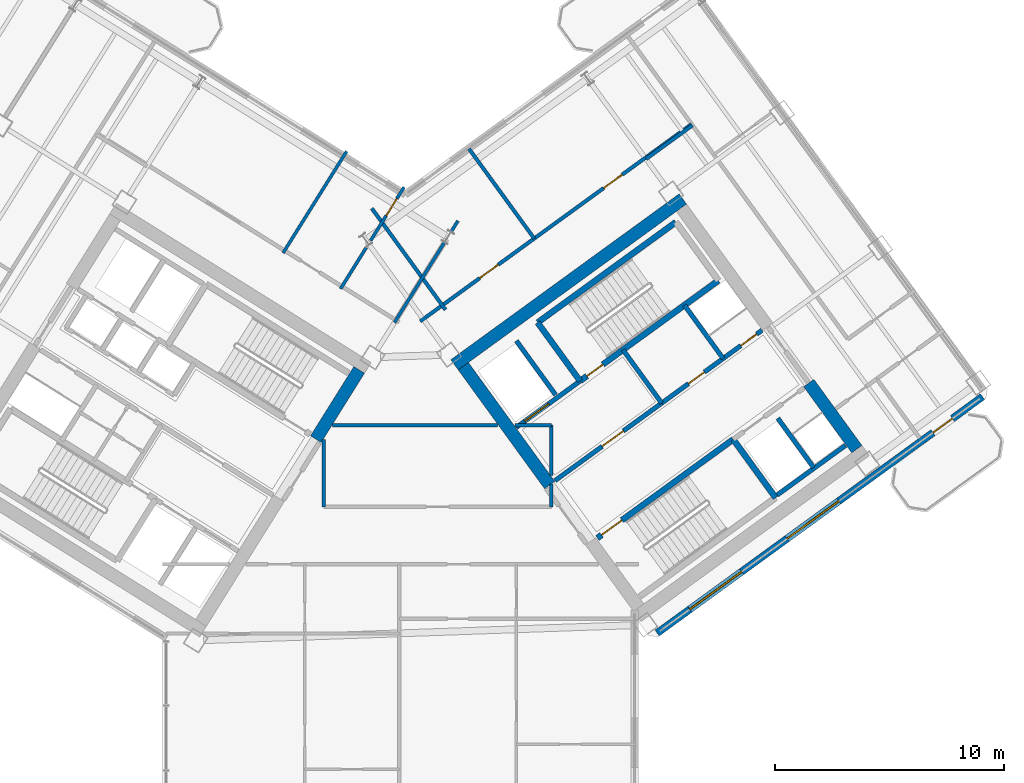
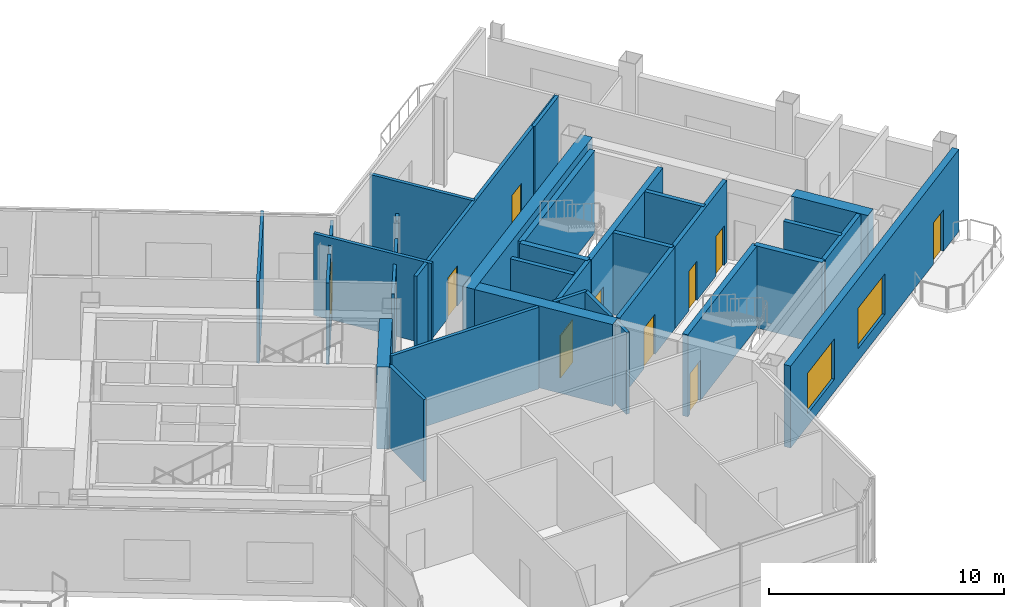
# One storey, part 14 of 21: 32 walls, 10 doors, 2 windows, 12 openings.
"""IFC4 building model written with IfcOpenShell, lengths in metres."""

from ifc_helpers import new_model, si_unit, direction, frame, frame_2d, origin, place, context, subcontext, project, spatial, rectangle, extrude, source, transform, mapped, material, layer, layer_set, type_object, element, fill, save


model = new_model("IFC4")

# Units and contexts
model_context = context("Model", 3, precision=1e-05, world=origin(), true_north=direction((0.0, 1.0)))
body_context = subcontext(model_context, "Body", "Model", "MODEL_VIEW")
ifc_project = project(units=[si_unit("LENGTHUNIT", "METRE"), si_unit("AREAUNIT", "SQUARE_METRE"), si_unit("VOLUMEUNIT", "CUBIC_METRE"), si_unit("PLANEANGLEUNIT", "RADIAN"), si_unit("MASSUNIT", "GRAM", prefix="KILO")], contexts=[model_context])

# Site, building, storey
site_placement = place(None, origin())
site = spatial("IfcSite", under=ifc_project, at=site_placement, CompositionType="ELEMENT")
building_placement = place(site_placement, origin())
building = spatial("IfcBuilding", under=site, at=building_placement, Name="Tlacorven Tower", CompositionType="ELEMENT")
storey_placement = place(building_placement, frame((0.0, 0.0, 199.5)))
storey = spatial("IfcBuildingStorey", under=building, at=storey_placement, Name="L50", CompositionType="ELEMENT", Elevation=199.5)

# Walls
ifc_material_1 = material(Name="Concrete C60/75", Category="concrete")
ifc_layer_1 = layer(ifc_material_1, 0.550048828125)
ifc_layer_set_1 = layer_set([ifc_layer_1], Name="Concrete C60/75")
wall_type_1 = type_object("IfcWallType", Name="WL-COR-550", PredefinedType="SHEAR", material=ifc_layer_set_1)
wall_1_placement = place(storey_placement, frame((40.194091796875, 23.92236328125, 0.0), z_axis=(0.0, 0.0, 1.0), x_axis=(-0.529888438328, -0.848067357541, 0.0)))
element("IfcWall", 1, at=wall_1_placement, inside=storey, type_object=wall_type_1, Name="L50 W core end wall E1.1", PredefinedType="SHEAR", context=body_context, shape_type="SweptSolid", body=[
    extrude(rectangle(XDim=3.574951171875, YDim=0.550048828125, at=frame_2d((1.78759765625, 0.0))), origin(), (0.0, 0.0, 1.0), 4.25),
])
wall_2_placement = place(storey_placement, frame((44.364990234375, 24.142333984375, 0.0), z_axis=(0.0, 0.0, 1.0), x_axis=(0.809024304885, 0.587775190107, 0.0)))
element("IfcWall", 2, at=wall_2_placement, inside=storey, type_object=wall_type_1, Name="L50 E core shear wall S2", PredefinedType="SHEAR", context=body_context, shape_type="SweptSolid", body=[
    extrude(rectangle(XDim=12.340087890625, YDim=0.550048828125, at=frame_2d((6.169921875, 0.0))), origin(), (0.0, 0.0, 1.0), 4.25),
])
wall_3_placement = place(storey_placement, frame((48.525634765625, 18.883544921875, 0.0), z_axis=(0.0, 0.0, 1.0), x_axis=(-0.587764933797, 0.809031756236, 0.0)))
element("IfcWall", 3, at=wall_3_placement, inside=storey, type_object=wall_type_1, Name="L50 E core end wall E1.2", PredefinedType="SHEAR", context=body_context, shape_type="SweptSolid", body=[
    extrude(rectangle(XDim=6.425048828125, YDim=0.550048828125, at=frame_2d((3.21240234375, 0.0))), origin(), (0.0, 0.0, 1.0), 4.25),
])
wall_4_placement = place(storey_placement, frame((61.9580078125, 20.453857421875, 0.0), z_axis=(0.0, 0.0, 1.0), x_axis=(-0.587802113096, 0.809004744015, 0.0)))
element("IfcWall", 4, at=wall_4_placement, inside=storey, type_object=wall_type_1, Name="L50 E core end wall E2.1", PredefinedType="SHEAR", context=body_context, shape_type="SweptSolid", body=[
    extrude(rectangle(XDim=3.574951171875, YDim=0.550048828125, at=frame_2d((1.78759765625, 0.0))), origin(), (0.0, 0.0, 1.0), 4.25),
])
ifc_material_2 = material(Name="Gypsum plasterboard acoustic partition", Category="gypsum")
ifc_layer_2 = layer(ifc_material_2, 0.159912109375)
ifc_layer_set_2 = layer_set([ifc_layer_2], Name="Gypsum plasterboard acoustic partition")
wall_type_2 = type_object("IfcWallType", Name="WL-DEM-160", PredefinedType="PARTITIONING", material=ifc_layer_set_2)
wall_5_placement = place(storey_placement, frame((38.64990234375, 17.929931640625, 0.0), z_axis=(0.0, 0.0, 1.0), x_axis=(0.0, 1.0, 0.0)))
element("IfcWall", 5, at=wall_5_placement, inside=storey, type_object=wall_type_2, Name="L50 partition 68", PredefinedType="PARTITIONING", context=body_context, shape_type="SweptSolid", body=[
    extrude(rectangle(XDim=2.951416015625, YDim=0.159912109375, at=frame_2d((1.4755859375, 0.0))), origin(), (0.0, 0.0, 1.0), 4.239990234375),
])
wall_6_placement = place(storey_placement, frame((48.60009765625, 17.929931640625, 0.0), z_axis=(0.0, 0.0, 1.0), x_axis=(0.0, 1.0, 0.0)))
element("IfcWall", 6, at=wall_6_placement, inside=storey, type_object=wall_type_2, Name="L50 partition 69", PredefinedType="PARTITIONING", context=body_context, shape_type="SweptSolid", body=[
    extrude(rectangle(XDim=0.99267578125, YDim=0.159912109375, at=frame_2d((0.496337890625, 0.0))), origin(), (0.0, 0.0, 1.0), 4.239990234375),
])
wall_7_placement = place(storey_placement, frame((48.60009765625, 19.295166015625, 0.0), z_axis=(0.0, 0.0, 1.0), x_axis=(0.0, 1.0, 0.0)))
element("IfcWall", 7, at=wall_7_placement, inside=storey, type_object=wall_type_2, Name="L50 partition 69", PredefinedType="PARTITIONING", context=body_context, shape_type="SweptSolid", body=[
    extrude(rectangle(XDim=2.204833984375, YDim=0.159912109375, at=frame_2d((1.1025390625, 0.0))), origin(), (0.0, 0.0, 1.0), 4.239990234375),
])
wall_8_placement = place(storey_placement, frame((39.03662109375, 21.5, 0.0), z_axis=(0.0, 0.0, 1.0), x_axis=(1.0, 0.0, 0.0)))
element("IfcWall", 8, at=wall_8_placement, inside=storey, type_object=wall_type_2, Name="L50 partition 70", PredefinedType="PARTITIONING", context=body_context, shape_type="SweptSolid", body=[
    extrude(rectangle(XDim=7.21484375, YDim=0.159912109375, at=frame_2d((3.607421875, 0.0))), origin(), (0.0, 0.0, 1.0), 4.239990234375),
])
wall_9_placement = place(storey_placement, frame((46.998046875, 21.5, 0.0), z_axis=(0.0, 0.0, 1.0), x_axis=(1.0, 0.0, 0.0)))
element("IfcWall", 9, at=wall_9_placement, inside=storey, type_object=wall_type_2, Name="L50 partition 70", PredefinedType="PARTITIONING", context=body_context, shape_type="SweptSolid", body=[
    extrude(rectangle(XDim=1.60205078125, YDim=0.159912109375, at=frame_2d((0.801025390625, 0.0))), origin(), (0.0, 0.0, 1.0), 4.239990234375),
])
wall_10_placement = place(storey_placement, frame((52.73876953125, 33.143310546875, 0.0), z_axis=(0.0, 0.0, 1.0), x_axis=(0.809000999347, 0.58780726693, 0.0)))
element("IfcWall", 10, at=wall_10_placement, inside=storey, type_object=wall_type_2, Name="L50 partition 83", PredefinedType="PARTITIONING", context=body_context, shape_type="SweptSolid", body=[
    extrude(rectangle(XDim=2.510009765625, YDim=0.159912109375, at=frame_2d((1.2548828125, 0.0))), origin(), (0.0, 0.0, 1.0), 4.239990234375),
])

# Wall, openings, doors
wall_11_placement = place(storey_placement, frame((42.86572265625, 26.04443359375, 0.0), z_axis=(0.0, 0.0, 1.0), x_axis=(0.809020254154, 0.587780765566, 0.0)))
wall_11 = element("IfcWall", 11, at=wall_11_placement, inside=storey, type_object=wall_type_2, Name="L50 partition 90", PredefinedType="PARTITIONING", context=body_context, shape_type="SweptSolid", body=[
    extrude(rectangle(XDim=14.670166015625, YDim=0.159912109375, at=frame_2d((7.3349609375, 0.0))), origin(), (0.0, 0.0, 1.0), 4.239990234375),
])
opening_1_placement = place(wall_11_placement, frame((3.215087890625, 0.0, 0.0)))
opening_1 = element("IfcOpeningElement", 12, at=opening_1_placement, cuts=wall_11, Name="Opening D11", PredefinedType="OPENING", context=body_context, shape_type="SweptSolid", body=[
    extrude(rectangle(XDim=1.0, YDim=2.10009765625, at=frame_2d((0.5, 1.050048828125))), frame((0.0, 0.08984375, 0.0), z_axis=(0.0, -1.0, 0.0), x_axis=(1.0, 0.0, 0.0)), (0.0, 0.0, 1.0), 0.179931640625),
])
opening_2_placement = place(wall_11_placement, frame((9.9150390625, 0.0, 0.0)))
opening_2 = element("IfcOpeningElement", 13, at=opening_2_placement, cuts=wall_11, Name="Opening D11", PredefinedType="OPENING", context=body_context, shape_type="SweptSolid", body=[
    extrude(rectangle(XDim=1.0, YDim=2.10009765625, at=frame_2d((0.5, 1.050048828125))), frame((0.0, 0.08984375, 0.0), z_axis=(0.0, -1.0, 0.0), x_axis=(1.0, 0.0, 0.0)), (0.0, 0.0, 1.0), 0.179931640625),
])
ifc_material_3 = material(Name="Fire-rated steel door assembly", Category="steel")
door_type_1 = type_object("IfcDoorType", Name="DR-FLT-FD60-1000", OperationType="NOTDEFINED", PredefinedType="DOOR", material=ifc_material_3)
shared_shape_1 = source(origin(), body_context, "Body", "SweptSolid", [
    extrude(rectangle(XDim=1.0, YDim=2.10009765625, at=frame_2d((0.5, 1.050048828125))), frame((0.0, 0.02490234375, 0.0), z_axis=(0.0, -1.0, 0.0), x_axis=(1.0, 0.0, 0.0)), (0.0, 0.0, 1.0), 0.050048828125),
])
door_1_placement = place(opening_1_placement, origin())
door_1 = element("IfcDoor", 14, at=door_1_placement, inside=storey, type_object=door_type_1, Name="L50 door 057", OperationType="SINGLE_SWING_LEFT", OverallHeight=2.10009765625, OverallWidth=1.0, PredefinedType="DOOR", context=body_context, shape_type="MappedRepresentation", body=[
    mapped(shared_shape_1, transform((0.0, 0.0, 0.0), scale=1.0)),
])
fill(opening_1, door_1)
door_2_placement = place(opening_2_placement, origin())
door_2 = element("IfcDoor", 15, at=door_2_placement, inside=storey, type_object=door_type_1, Name="L50 door 058", OperationType="SINGLE_SWING_RIGHT", OverallHeight=2.10009765625, OverallWidth=1.0, PredefinedType="DOOR", context=body_context, shape_type="MappedRepresentation", body=[
    mapped(shared_shape_1, transform((0.0, 0.0, 0.0), scale=1.0)),
])
fill(opening_2, door_2)

# Walls
wall_12_placement = place(storey_placement, frame((43.969482421875, 26.549560546875, 0.0), z_axis=(0.0, 0.0, 1.0), x_axis=(-0.587776919386, 0.80902304852, 0.0)))
element("IfcWall", 16, at=wall_12_placement, inside=storey, type_object=wall_type_2, Name="L50 EC West Throat Wall", PredefinedType="PARTITIONING", context=body_context, shape_type="SweptSolid", body=[
    extrude(rectangle(XDim=5.47998046875, YDim=0.159912109375, at=frame_2d((2.739990234375, 0.0))), origin(), (0.0, 0.0, 1.0), 4.239990234375),
])
wall_13_placement = place(storey_placement, frame((47.849365234375, 29.6650390625, 0.0), z_axis=(0.0, 0.0, 1.0), x_axis=(-0.587785532001, 0.809016791155, 0.0)))
element("IfcWall", 17, at=wall_13_placement, inside=storey, type_object=wall_type_2, Name="L50 EC Demising Wall 1", PredefinedType="PARTITIONING", context=body_context, shape_type="SweptSolid", body=[
    extrude(rectangle(XDim=4.85009765625, YDim=0.159912109375, at=frame_2d((2.425048828125, 0.0))), origin(), (0.0, 0.0, 1.0), 4.239990234375),
])

# Wall, openings, door, windows
ifc_material_4 = material(Name="Precast concrete C45/55", Category="concrete")
ifc_layer_3 = layer(ifc_material_4, 0.320068359375)
ifc_layer_set_3 = layer_set([ifc_layer_3], Name="Precast concrete C45/55")
wall_type_3 = type_object("IfcWallType", Name="WL-EXT-320", PredefinedType="STANDARD", material=ifc_layer_set_3)
wall_14_placement = place(storey_placement, frame((67.45361328125, 22.746826171875, 0.0), z_axis=(0.0, 0.0, 1.0), x_axis=(-0.809021120468, -0.587779573171, 0.0)))
wall_14 = element("IfcWall", 18, at=wall_14_placement, inside=storey, type_object=wall_type_3, Name="L50 Masonry-Frame Recessed Facade Wall 6", PredefinedType="STANDARD", context=body_context, shape_type="SweptSolid", body=[
    extrude(rectangle(XDim=17.587646484375, YDim=0.320068359375, at=frame_2d((8.7939453125, 0.0))), origin(), (0.0, 0.0, 1.0), 4.25),
])
opening_3_placement = place(wall_14_placement, frame((1.623779296875, 0.0, 0.0)))
opening_3 = element("IfcOpeningElement", 19, at=opening_3_placement, cuts=wall_14, Name="Opening D06", PredefinedType="OPENING", context=body_context, shape_type="SweptSolid", body=[
    extrude(rectangle(XDim=1.050048828125, YDim=2.14990234375, at=frame_2d((0.52490234375, 1.074951171875))), frame((0.0, 0.169921875, 0.0), z_axis=(0.0, -1.0, 0.0), x_axis=(1.0, 0.0, 0.0)), (0.0, 0.0, 1.0), 0.340087890625),
])
opening_4_placement = place(wall_14_placement, frame((7.768798828125, 0.0, 0.64990234375)))
opening_4 = element("IfcOpeningElement", 20, at=opening_4_placement, cuts=wall_14, Name="Opening WN13", PredefinedType="OPENING", context=body_context, shape_type="SweptSolid", body=[
    extrude(rectangle(XDim=2.800048828125, YDim=2.10009765625, at=frame_2d((1.39990234375, 1.050048828125))), frame((0.0, 0.169921875, 0.0), z_axis=(0.0, -1.0, 0.0), x_axis=(1.0, 0.0, 0.0)), (0.0, 0.0, 1.0), 0.340087890625),
])
opening_5_placement = place(wall_14_placement, frame((13.018798828125, 0.0, 0.64990234375)))
opening_5 = element("IfcOpeningElement", 21, at=opening_5_placement, cuts=wall_14, Name="Opening WN13", PredefinedType="OPENING", context=body_context, shape_type="SweptSolid", body=[
    extrude(rectangle(XDim=2.800048828125, YDim=2.10009765625, at=frame_2d((1.39990234375, 1.050048828125))), frame((0.0, 0.169921875, 0.0), z_axis=(0.0, -1.0, 0.0), x_axis=(1.0, 0.0, 0.0)), (0.0, 0.0, 1.0), 0.340087890625),
])
ifc_material_5 = material(Name="Powder-coated aluminium and timber door", Category="wood")
door_type_2 = type_object("IfcDoorType", Name="DR-EXT-BALC-1050", OperationType="NOTDEFINED", PredefinedType="DOOR", material=ifc_material_5)
shared_shape_2 = source(origin(), body_context, "Body", "SweptSolid", [
    extrude(rectangle(XDim=1.050048828125, YDim=2.14990234375, at=frame_2d((0.52490234375, 1.074951171875))), frame((0.0, 0.02490234375, 0.0), z_axis=(0.0, -1.0, 0.0), x_axis=(1.0, 0.0, 0.0)), (0.0, 0.0, 1.0), 0.050048828125),
])
door_3_placement = place(opening_3_placement, origin())
door_3 = element("IfcDoor", 22, at=door_3_placement, inside=storey, type_object=door_type_2, Name="L50 Outdoor Access Door BAL-L50-E-OUT", OperationType="SINGLE_SWING_LEFT", OverallHeight=2.14990234375, OverallWidth=1.050048828125, PredefinedType="DOOR", context=body_context, shape_type="MappedRepresentation", body=[
    mapped(shared_shape_2, transform((0.0, 0.0, 0.0), scale=1.0)),
])
fill(opening_3, door_3)
ifc_material_6 = material(Name="Dark solar low-E double glazing in anodised aluminium frame", Category="aluminium")
window_type = type_object("IfcWindowType", Name="WN-SKY-2800X2400", PartitioningType="SINGLE_PANEL", PredefinedType="WINDOW", material=ifc_material_6)
shared_shape_3 = source(origin(), body_context, "Body", "SweptSolid", [
    extrude(rectangle(XDim=2.800048828125, YDim=2.10009765625, at=frame_2d((1.39990234375, 1.050048828125))), frame((0.0, 0.030029296875, 0.0), z_axis=(0.0, -1.0, 0.0), x_axis=(1.0, 0.0, 0.0)), (0.0, 0.0, 1.0), 0.06005859375),
])
window_1_placement = place(opening_4_placement, origin())
window_1 = element("IfcWindow", 23, at=window_1_placement, inside=storey, type_object=window_type, Name="L50 Recessed Masonry-Frame Window L50-06.1", OverallHeight=2.10009765625, OverallWidth=2.800048828125, PartitioningType="SINGLE_PANEL", PredefinedType="WINDOW", context=body_context, shape_type="MappedRepresentation", body=[
    mapped(shared_shape_3, transform((0.0, 0.0, 0.0), scale=1.0)),
])
fill(opening_4, window_1)
window_2_placement = place(opening_5_placement, origin())
window_2 = element("IfcWindow", 24, at=window_2_placement, inside=storey, type_object=window_type, Name="L50 Recessed Masonry-Frame Window L50-06.2", OverallHeight=2.10009765625, OverallWidth=2.800048828125, PartitioningType="SINGLE_PANEL", PredefinedType="WINDOW", context=body_context, shape_type="MappedRepresentation", body=[
    mapped(shared_shape_3, transform((0.0, 0.0, 0.0), scale=1.0)),
])
fill(opening_5, window_2)

# Wall, opening, door
ifc_material_7 = material(Name="Moisture-resistant gypsum plumbing wall", Category="gypsum")
ifc_layer_4 = layer(ifc_material_7, 0.139892578125)
ifc_layer_set_4 = layer_set([ifc_layer_4], Name="Moisture-resistant gypsum plumbing wall")
wall_type_4 = type_object("IfcWallType", Name="WL-PLM-140", PredefinedType="PLUMBINGWALL", material=ifc_layer_set_4)
wall_15_placement = place(storey_placement, frame((42.156005859375, 31.911865234375, 0.0), z_axis=(0.0, 0.0, 1.0), x_axis=(-0.529943141103, -0.848033175765, 0.0)))
wall_15 = element("IfcWall", 25, at=wall_15_placement, inside=storey, type_object=wall_type_4, Name="L50 partition 62", PredefinedType="PLUMBINGWALL", context=body_context, shape_type="SweptSolid", body=[
    extrude(rectangle(XDim=2.753173828125, YDim=0.139892578125, at=frame_2d((1.37646484375, 0.0))), origin(), (0.0, 0.0, 1.0), 3.8349609375),
])
opening_6_placement = place(wall_15_placement, frame((0.593017578125, 0.0, 0.0)))
opening_6 = element("IfcOpeningElement", 26, at=opening_6_placement, cuts=wall_15, Name="Opening D13", PredefinedType="OPENING", context=body_context, shape_type="SweptSolid", body=[
    extrude(rectangle(XDim=0.8798828125, YDim=2.080078125, at=frame_2d((0.43994140625, 1.0400390625))), frame((0.0, 0.080078125, 0.0), z_axis=(0.0, -1.0, 0.0), x_axis=(1.0, 0.0, 0.0)), (0.0, 0.0, 1.0), 0.159912109375),
])
door_type_3 = type_object("IfcDoorType", Name="DR-INT-WET-0880", OperationType="NOTDEFINED", PredefinedType="DOOR", material=ifc_material_5)
shared_shape_4 = source(origin(), body_context, "Body", "SweptSolid", [
    extrude(rectangle(XDim=0.8798828125, YDim=2.080078125, at=frame_2d((0.43994140625, 1.0400390625))), frame((0.0, 0.02490234375, 0.0), z_axis=(0.0, -1.0, 0.0), x_axis=(1.0, 0.0, 0.0)), (0.0, 0.0, 1.0), 0.050048828125),
])
door_4_placement = place(opening_6_placement, origin())
door_4 = element("IfcDoor", 27, at=door_4_placement, inside=storey, type_object=door_type_3, Name="L50 door 036", OperationType="SINGLE_SWING_LEFT", OverallHeight=2.080078125, OverallWidth=0.8798828125, PredefinedType="DOOR", context=body_context, shape_type="MappedRepresentation", body=[
    mapped(shared_shape_4, transform((0.0, 0.0, 0.0), scale=1.0)),
])
fill(opening_6, door_4)

# Walls
wall_16_placement = place(storey_placement, frame((40.511962890625, 29.28076171875, 0.0), z_axis=(0.0, 0.0, 1.0), x_axis=(-0.529947607416, -0.848030384712, 0.0)))
element("IfcWall", 28, at=wall_16_placement, inside=storey, type_object=wall_type_4, Name="L50 partition 62", PredefinedType="PLUMBINGWALL", context=body_context, shape_type="SweptSolid", body=[
    extrude(rectangle(XDim=2.1376953125, YDim=0.139892578125, at=frame_2d((1.06884765625, 0.0))), origin(), (0.0, 0.0, 1.0), 4.239990234375),
])
wall_17_placement = place(storey_placement, frame((44.513671875, 30.438720703125, 0.0), z_axis=(0.0, 0.0, 1.0), x_axis=(-0.530117963224, -0.847923902875, 0.0)))
element("IfcWall", 29, at=wall_17_placement, inside=storey, type_object=wall_type_4, Name="L50 partition 63", PredefinedType="PLUMBINGWALL", context=body_context, shape_type="SweptSolid", body=[
    extrude(rectangle(XDim=0.55322265625, YDim=0.139892578125, at=frame_2d((0.276611328125, 0.0))), origin(), (0.0, 0.0, 1.0), 4.239990234375),
])
wall_18_placement = place(storey_placement, frame((43.916259765625, 29.48291015625, 0.0), z_axis=(0.0, 0.0, 1.0), x_axis=(-0.529897559092, -0.848061658648, 0.0)))
element("IfcWall", 30, at=wall_18_placement, inside=storey, type_object=wall_type_4, Name="L50 partition 63", PredefinedType="PLUMBINGWALL", context=body_context, shape_type="SweptSolid", body=[
    extrude(rectangle(XDim=4.113037109375, YDim=0.139892578125, at=frame_2d((2.056640625, 0.0))), origin(), (0.0, 0.0, 1.0), 3.72509765625),
])
wall_19_placement = place(storey_placement, frame((39.645751953125, 33.48046875, 0.0), z_axis=(0.0, 0.0, 1.0), x_axis=(-0.529923555071, -0.848045414928, 0.0)))
element("IfcWall", 31, at=wall_19_placement, inside=storey, type_object=wall_type_4, Name="L50 partition 64", PredefinedType="PLUMBINGWALL", context=body_context, shape_type="SweptSolid", body=[
    extrude(rectangle(XDim=5.239990234375, YDim=0.139892578125, at=frame_2d((2.6201171875, 0.0))), origin(), (0.0, 0.0, 1.0), 4.239990234375),
])

# Wall, opening, door
ifc_material_8 = material(Name="Concrete C40/50", Category="concrete")
ifc_layer_5 = layer(ifc_material_8, 0.199951171875)
ifc_layer_set_5 = layer_set([ifc_layer_5], Name="Concrete C40/50")
wall_type_5 = type_object("IfcWallType", Name="WL-SHF-200", PredefinedType="STANDARD", material=ifc_layer_set_5)
wall_20_placement = place(storey_placement, frame((47.0654296875, 21.4072265625, 0.0), z_axis=(0.0, 0.0, 1.0), x_axis=(0.809032984992, 0.587763242466, 0.0)))
wall_20 = element("IfcWall", 32, at=wall_20_placement, inside=storey, type_object=wall_type_5, Name="L50 Core E Firefighting Lift Shaft Front Wall", PredefinedType="STANDARD", context=body_context, shape_type="SweptSolid", body=[
    extrude(rectangle(XDim=3.447998046875, YDim=0.199951171875, at=frame_2d((1.72412109375, 0.0))), origin(), (0.0, 0.0, 1.0), 4.239990234375),
])
opening_7_placement = place(wall_20_placement, frame((0.4580078125, 0.0, 0.0)))
opening_7 = element("IfcOpeningElement", 33, at=opening_7_placement, cuts=wall_20, Name="Opening LD03", PredefinedType="OPENING", context=body_context, shape_type="SweptSolid", body=[
    extrude(rectangle(XDim=1.300048828125, YDim=2.199951171875, at=frame_2d((0.64990234375, 1.10009765625))), frame((0.0, 0.10986328125, 0.0), z_axis=(0.0, -1.0, 0.0), x_axis=(1.0, 0.0, 0.0)), (0.0, 0.0, 1.0), 0.219970703125),
])
door_type_4 = type_object("IfcDoorType", Name="DR-LFT-SLID-1300", OperationType="DOUBLE_DOOR_SLIDING", PredefinedType="DOOR", material=ifc_material_3)
shared_shape_5 = source(origin(), body_context, "Body", "SweptSolid", [
    extrude(rectangle(XDim=1.300048828125, YDim=2.199951171875, at=frame_2d((0.64990234375, 1.10009765625))), frame((0.0, 0.02490234375, 0.0), z_axis=(0.0, -1.0, 0.0), x_axis=(1.0, 0.0, 0.0)), (0.0, 0.0, 1.0), 0.050048828125),
])
door_5_placement = place(opening_7_placement, origin())
door_5 = element("IfcDoor", 34, at=door_5_placement, inside=storey, type_object=door_type_4, Name="L50 Lift FFL-E1 Sliding Landing Door", OperationType="DOUBLE_DOOR_SLIDING", OverallHeight=2.199951171875, OverallWidth=1.300048828125, PredefinedType="DOOR", context=body_context, shape_type="MappedRepresentation", body=[
    mapped(shared_shape_5, transform((0.0, 0.0, 0.0), scale=1.0)),
])
fill(opening_7, door_5)

wall_21_placement = place(storey_placement, frame((48.75830078125, 19.0771484375, 0.0), z_axis=(0.0, 0.0, 1.0), x_axis=(0.809005065155, 0.587801671104, 0.0)))
wall_21 = element("IfcWall", 35, at=wall_21_placement, inside=storey, type_object=wall_type_5, Name="L50 Core E Smoke Lobby Wall", PredefinedType="STANDARD", context=body_context, shape_type="SweptSolid", body=[
    extrude(rectangle(XDim=5.767822265625, YDim=0.199951171875, at=frame_2d((2.8837890625, 0.0))), origin(), (0.0, 0.0, 1.0), 4.239990234375),
])
opening_8_placement = place(wall_21_placement, frame((2.548095703125, 0.0, 0.0)))
opening_8 = element("IfcOpeningElement", 36, at=opening_8_placement, cuts=wall_21, Name="Opening D09", PredefinedType="OPENING", context=body_context, shape_type="SweptSolid", body=[
    extrude(rectangle(XDim=1.14990234375, YDim=2.10009765625, at=frame_2d((0.574951171875, 1.050048828125))), frame((0.0, 0.10986328125, 0.0), z_axis=(0.0, -1.0, 0.0), x_axis=(1.0, 0.0, 0.0)), (0.0, 0.0, 1.0), 0.219970703125),
])
door_type_5 = type_object("IfcDoorType", Name="DR-FFL-FD60-1150", OperationType="NOTDEFINED", PredefinedType="DOOR", material=ifc_material_3)
shared_shape_6 = source(origin(), body_context, "Body", "SweptSolid", [
    extrude(rectangle(XDim=1.14990234375, YDim=2.10009765625, at=frame_2d((0.574951171875, 1.050048828125))), frame((0.0, 0.02490234375, 0.0), z_axis=(0.0, -1.0, 0.0), x_axis=(1.0, 0.0, 0.0)), (0.0, 0.0, 1.0), 0.050048828125),
])
door_6_placement = place(opening_8_placement, origin())
door_6 = element("IfcDoor", 37, at=door_6_placement, inside=storey, type_object=door_type_5, Name="L50 Firefighting Lobby E Fire Door", OperationType="SINGLE_SWING_RIGHT", OverallHeight=2.10009765625, OverallWidth=1.14990234375, PredefinedType="DOOR", context=body_context, shape_type="MappedRepresentation", body=[
    mapped(shared_shape_6, transform((0.0, 0.0, 0.0), scale=1.0)),
])
fill(opening_8, door_6)

# Walls
wall_22_placement = place(storey_placement, frame((48.78564453125, 22.830078125, 0.0), z_axis=(0.0, 0.0, 1.0), x_axis=(-0.587783856777, 0.809018008275, 0.0)))
element("IfcWall", 38, at=wall_22_placement, inside=storey, type_object=wall_type_5, Name="L50 partition 36", PredefinedType="STANDARD", context=body_context, shape_type="SweptSolid", body=[
    extrude(rectangle(XDim=2.919921875, YDim=0.199951171875, at=frame_2d((1.4599609375, 0.0))), origin(), (0.0, 0.0, 1.0), 4.239990234375),
])
wall_23_placement = place(storey_placement, frame((60.066650390625, 19.654541015625, 0.0), z_axis=(0.0, 0.0, 1.0), x_axis=(-0.587800520745, 0.809005900975, 0.0)))
element("IfcWall", 39, at=wall_23_placement, inside=storey, type_object=wall_type_5, Name="L50 partition 37", PredefinedType="STANDARD", context=body_context, shape_type="SweptSolid", body=[
    extrude(rectangle(XDim=2.659912109375, YDim=0.199951171875, at=frame_2d((1.330078125, 0.0))), origin(), (0.0, 0.0, 1.0), 4.239990234375),
])
wall_24_placement = place(storey_placement, frame((58.47216796875, 18.446533203125, 0.0), z_axis=(0.0, 0.0, 1.0), x_axis=(0.809018631237, 0.587782999339, 0.0)))
element("IfcWall", 40, at=wall_24_placement, inside=storey, type_object=wall_type_5, Name="L50 partition 39", PredefinedType="STANDARD", context=body_context, shape_type="SweptSolid", body=[
    extrude(rectangle(XDim=3.697998046875, YDim=0.199951171875, at=frame_2d((1.84912109375, 0.0))), origin(), (0.0, 0.0, 1.0), 4.239990234375),
])
wall_25_placement = place(storey_placement, frame((53.424560546875, 22.467529296875, 0.0), z_axis=(0.0, 0.0, 1.0), x_axis=(-0.5877230039, 0.809062216821, 0.0)))
element("IfcWall", 41, at=wall_25_placement, inside=storey, type_object=wall_type_5, Name="L50 partition 41", PredefinedType="STANDARD", context=body_context, shape_type="SweptSolid", body=[
    extrude(rectangle(XDim=2.8798828125, YDim=0.199951171875, at=frame_2d((1.43994140625, 0.0))), origin(), (0.0, 0.0, 1.0), 4.239990234375),
])
wall_26_placement = place(storey_placement, frame((56.110595703125, 24.4189453125, 0.0), z_axis=(0.0, 0.0, 1.0), x_axis=(-0.58777848983, 0.809021907548, 0.0)))
element("IfcWall", 42, at=wall_26_placement, inside=storey, type_object=wall_type_5, Name="L50 partition 42", PredefinedType="STANDARD", context=body_context, shape_type="SweptSolid", body=[
    extrude(rectangle(XDim=2.880126953125, YDim=0.199951171875, at=frame_2d((1.43994140625, 0.0))), origin(), (0.0, 0.0, 1.0), 4.239990234375),
])

# Wall, openings, doors
wall_27_placement = place(storey_placement, frame((53.424560546875, 22.467529296875, 0.0), z_axis=(0.0, 0.0, 1.0), x_axis=(0.809024377198, 0.587775090574, 0.0)))
wall_27 = element("IfcWall", 43, at=wall_27_placement, inside=storey, type_object=wall_type_5, Name="L50 Core E North Service Wall", PredefinedType="STANDARD", context=body_context, shape_type="SweptSolid", body=[
    extrude(rectangle(XDim=5.41796875, YDim=0.199951171875, at=frame_2d((2.708984375, 0.0))), origin(), (0.0, 0.0, 1.0), 4.239990234375),
])
opening_9_placement = place(wall_27_placement, frame((4.280029296875, 0.0, 0.0)))
opening_9 = element("IfcOpeningElement", 44, at=opening_9_placement, cuts=wall_27, Name="Opening D19", PredefinedType="OPENING", context=body_context, shape_type="SweptSolid", body=[
    extrude(rectangle(XDim=0.860107421875, YDim=2.050048828125, at=frame_2d((0.43017578125, 1.02490234375))), frame((0.0, 0.10986328125, 0.0), z_axis=(0.0, -1.0, 0.0), x_axis=(1.0, 0.0, 0.0)), (0.0, 0.0, 1.0), 0.219970703125),
])
opening_10_placement = place(wall_27_placement, frame((1.449951171875, 0.0, 0.0)))
opening_10 = element("IfcOpeningElement", 45, at=opening_10_placement, cuts=wall_27, Name="Opening D19", PredefinedType="OPENING", context=body_context, shape_type="SweptSolid", body=[
    extrude(rectangle(XDim=0.860107421875, YDim=2.050048828125, at=frame_2d((0.43017578125, 1.02490234375))), frame((0.0, 0.10986328125, 0.0), z_axis=(0.0, -1.0, 0.0), x_axis=(1.0, 0.0, 0.0)), (0.0, 0.0, 1.0), 0.219970703125),
])
door_type_6 = type_object("IfcDoorType", Name="DR-RSR-FD60-0860", OperationType="NOTDEFINED", PredefinedType="DOOR", material=ifc_material_3)
shared_shape_7 = source(origin(), body_context, "Body", "SweptSolid", [
    extrude(rectangle(XDim=0.860107421875, YDim=2.050048828125, at=frame_2d((0.43017578125, 1.02490234375))), frame((0.0, 0.02490234375, 0.0), z_axis=(0.0, -1.0, 0.0), x_axis=(1.0, 0.0, 0.0)), (0.0, 0.0, 1.0), 0.050048828125),
])
door_7_placement = place(opening_9_placement, frame((0.860107421875, 0.0, 0.0), z_axis=(0.0, 0.0, 1.0), x_axis=(-1.0, 0.0, 0.0)))
door_7 = element("IfcDoor", 46, at=door_7_placement, inside=storey, type_object=door_type_6, Name="L50 Electrical Riser Access Door E", OperationType="SINGLE_SWING_RIGHT", OverallHeight=2.050048828125, OverallWidth=0.860107421875, PredefinedType="DOOR", context=body_context, shape_type="MappedRepresentation", body=[
    mapped(shared_shape_7, transform((0.0, 0.0, 0.0), scale=1.0)),
])
fill(opening_9, door_7)
door_8_placement = place(opening_10_placement, frame((0.860107421875, 0.0, 0.0), z_axis=(0.0, 0.0, 1.0), x_axis=(-1.0, 0.0, 0.0)))
door_8 = element("IfcDoor", 47, at=door_8_placement, inside=storey, type_object=door_type_6, Name="L50 Housekeeping Linen Access Door E", OperationType="SINGLE_SWING_LEFT", OverallHeight=2.050048828125, OverallWidth=0.860107421875, PredefinedType="DOOR", context=body_context, shape_type="MappedRepresentation", body=[
    mapped(shared_shape_7, transform((0.0, 0.0, 0.0), scale=1.0)),
])
fill(opening_10, door_8)

# Wall
ifc_material_9 = material(Name="Concrete C50/60", Category="concrete")
ifc_layer_6 = layer(ifc_material_9, 0.260009765625)
ifc_layer_set_6 = layer_set([ifc_layer_6], Name="Concrete C50/60")
wall_type_6 = type_object("IfcWallType", Name="WL-STW-260", PredefinedType="SHEAR", material=ifc_layer_set_6)
wall_28_placement = place(storey_placement, frame((48.005615234375, 25.996337890625, 0.0), z_axis=(0.0, 0.0, 1.0), x_axis=(0.80901903764, 0.587782439969, 0.0)))
element("IfcWall", 48, at=wall_28_placement, inside=storey, type_object=wall_type_6, Name="L50 Stair E1 Far Shear Wall", PredefinedType="SHEAR", context=body_context, shape_type="SweptSolid", body=[
    extrude(rectangle(XDim=7.4599609375, YDim=0.260009765625, at=frame_2d((3.72998046875, 0.0))), origin(), (0.0, 0.0, 1.0), 4.25),
])

# Wall, opening, door
wall_29_placement = place(storey_placement, frame((49.863037109375, 23.439697265625, 0.0), z_axis=(0.0, 0.0, 1.0), x_axis=(0.809003474932, 0.587803859759, 0.0)))
wall_29 = element("IfcWall", 49, at=wall_29_placement, inside=storey, type_object=wall_type_6, Name="L50 Stair E1 Lobby Shear Wall", PredefinedType="SHEAR", context=body_context, shape_type="SweptSolid", body=[
    extrude(rectangle(XDim=7.4599609375, YDim=0.260009765625, at=frame_2d((3.72998046875, 0.0))), origin(), (0.0, 0.0, 1.0), 4.25),
])
opening_11_placement = place(wall_29_placement, frame((0.360107421875, 0.0, 0.0)))
opening_11 = element("IfcOpeningElement", 50, at=opening_11_placement, cuts=wall_29, Name="Opening D19", PredefinedType="OPENING", context=body_context, shape_type="SweptSolid", body=[
    extrude(rectangle(XDim=0.860107421875, YDim=2.050048828125, at=frame_2d((0.43017578125, 1.02490234375))), frame((0.0, 0.14013671875, 0.0), z_axis=(0.0, -1.0, 0.0), x_axis=(1.0, 0.0, 0.0)), (0.0, 0.0, 1.0), 0.280029296875),
])
door_9_placement = place(opening_11_placement, frame((0.860107421875, 0.0, 0.0), z_axis=(0.0, 0.0, 1.0), x_axis=(-1.0, 0.0, 0.0)))
door_9 = element("IfcDoor", 51, at=door_9_placement, inside=storey, type_object=door_type_6, Name="L50 Exit Stair E1 Fire Door", OperationType="SINGLE_SWING_LEFT", OverallHeight=2.050048828125, OverallWidth=0.860107421875, PredefinedType="DOOR", context=body_context, shape_type="MappedRepresentation", body=[
    mapped(shared_shape_7, transform((0.0, 0.0, 0.0), scale=1.0)),
])
fill(opening_11, door_9)

# Wall
wall_30_placement = place(storey_placement, frame((49.85498046875, 23.433837890625, 0.0), z_axis=(0.0, 0.0, 1.0), x_axis=(-0.58776738483, 0.809029975545, 0.0)))
element("IfcWall", 52, at=wall_30_placement, inside=storey, type_object=wall_type_6, Name="L50 Stair E1 West Shear Wall", PredefinedType="SHEAR", context=body_context, shape_type="SweptSolid", body=[
    extrude(rectangle(XDim=3.16015625, YDim=0.260009765625, at=frame_2d((1.580078125, 0.0))), origin(), (0.0, 0.0, 1.0), 4.25),
])

# Wall, opening, door
wall_31_placement = place(storey_placement, frame((50.61474609375, 16.569580078125, 0.0), z_axis=(0.0, 0.0, 1.0), x_axis=(0.809028366311, 0.587769599847, 0.0)))
wall_31 = element("IfcWall", 53, at=wall_31_placement, inside=storey, type_object=wall_type_6, Name="L50 Stair E2 Lobby Shear Wall", PredefinedType="SHEAR", context=body_context, shape_type="SweptSolid", body=[
    extrude(rectangle(XDim=7.330078125, YDim=0.260009765625, at=frame_2d((3.6650390625, 0.0))), origin(), (0.0, 0.0, 1.0), 4.25),
])
opening_12_placement = place(wall_31_placement, frame((0.219970703125, 0.0, 0.0)))
opening_12 = element("IfcOpeningElement", 54, at=opening_12_placement, cuts=wall_31, Name="Opening D07", PredefinedType="OPENING", context=body_context, shape_type="SweptSolid", body=[
    extrude(rectangle(XDim=1.10009765625, YDim=2.10009765625, at=frame_2d((0.550048828125, 1.050048828125))), frame((0.0, 0.14013671875, 0.0), z_axis=(0.0, -1.0, 0.0), x_axis=(1.0, 0.0, 0.0)), (0.0, 0.0, 1.0), 0.280029296875),
])
door_type_7 = type_object("IfcDoorType", Name="DR-STR-FD90-1100", OperationType="NOTDEFINED", PredefinedType="DOOR", material=ifc_material_3)
shared_shape_8 = source(origin(), body_context, "Body", "SweptSolid", [
    extrude(rectangle(XDim=1.10009765625, YDim=2.10009765625, at=frame_2d((0.550048828125, 1.050048828125))), frame((0.0, 0.02490234375, 0.0), z_axis=(0.0, -1.0, 0.0), x_axis=(1.0, 0.0, 0.0)), (0.0, 0.0, 1.0), 0.050048828125),
])
door_10_placement = place(opening_12_placement, origin())
door_10 = element("IfcDoor", 55, at=door_10_placement, inside=storey, type_object=door_type_7, Name="L50 Exit Stair E2 Fire Door", OperationType="SINGLE_SWING_LEFT", OverallHeight=2.10009765625, OverallWidth=1.10009765625, PredefinedType="DOOR", context=body_context, shape_type="MappedRepresentation", body=[
    mapped(shared_shape_8, transform((0.0, 0.0, 0.0), scale=1.0)),
])
fill(opening_12, door_10)

# Wall
wall_32_placement = place(storey_placement, frame((58.410400390625, 18.327392578125, 0.0), z_axis=(0.0, 0.0, 1.0), x_axis=(-0.58776738483, 0.809029975545, 0.0)))
element("IfcWall", 56, at=wall_32_placement, inside=storey, type_object=wall_type_6, Name="L50 Stair E2 East Shear Wall", PredefinedType="SHEAR", context=body_context, shape_type="SweptSolid", body=[
    extrude(rectangle(XDim=3.16015625, YDim=0.260009765625, at=frame_2d((1.580078125, 0.0))), origin(), (0.0, 0.0, 1.0), 4.25),
])

save(model, "model.ifc")
